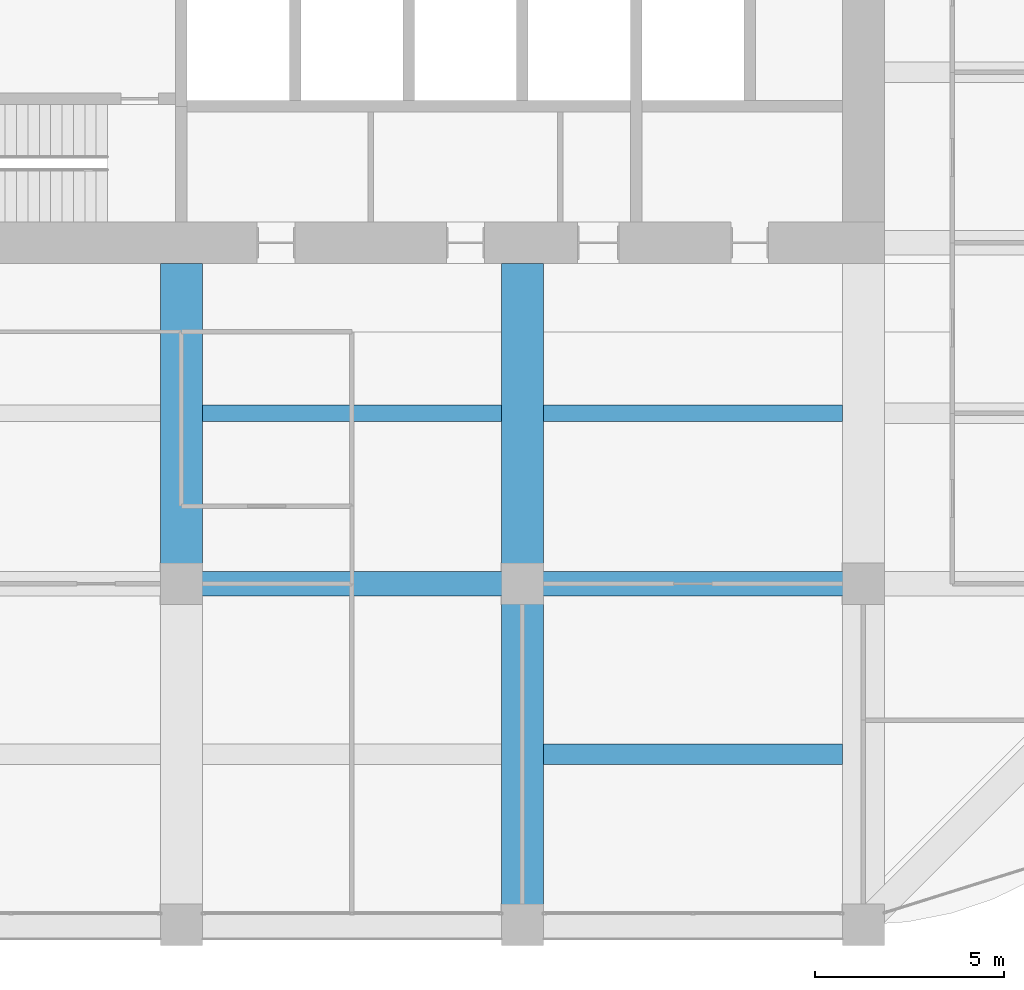
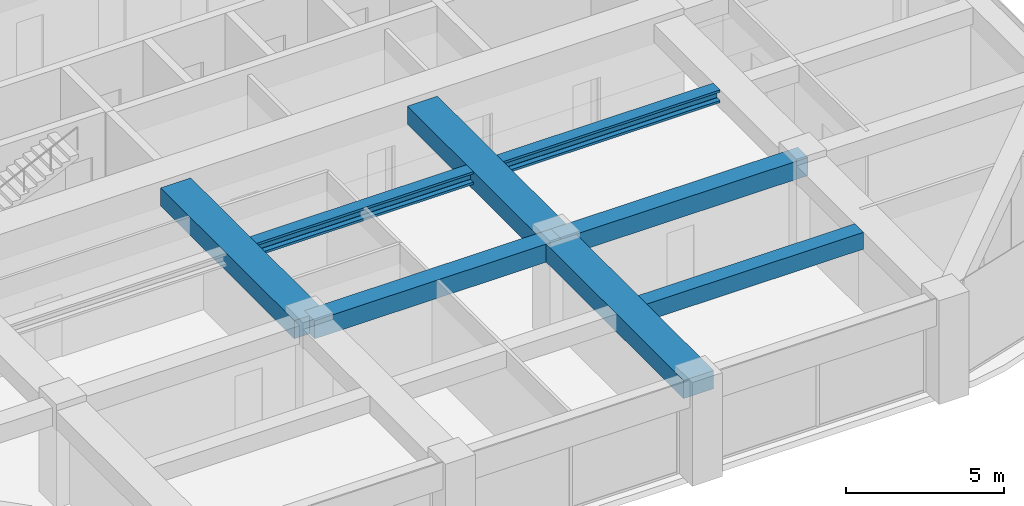
# One storey, part 12 of 45: 8 beams.
"""IFC4 building model written with IfcOpenShell, lengths in metres."""

from ifc_helpers import new_model, si_unit, direction, frame, origin, origin_2d, place, context, subcontext, project, spatial, rectangle, i_section, extrude, material, material_profile, profile_set, type_object, element, save


model = new_model("IFC4")

# Units and contexts
model_context = context("Model", 3, precision=1e-05, world=origin(), true_north=direction((0.0, 1.0)))
body_context = subcontext(model_context, "Body", "Model", "MODEL_VIEW")
ifc_project = project(units=[si_unit("LENGTHUNIT", "METRE"), si_unit("AREAUNIT", "SQUARE_METRE"), si_unit("VOLUMEUNIT", "CUBIC_METRE"), si_unit("PLANEANGLEUNIT", "RADIAN"), si_unit("MASSUNIT", "GRAM", prefix="KILO")], contexts=[model_context])

# Site, building, storey
site_placement = place(None, origin())
site = spatial("IfcSite", under=ifc_project, at=site_placement, CompositionType="ELEMENT")
building_placement = place(site_placement, origin())
building = spatial("IfcBuilding", under=site, at=building_placement, Name="Zorevar Civic Tower", CompositionType="ELEMENT")
storey_placement = place(building_placement, frame((0.0, 0.0, 279.39990234375)))
storey = spatial("IfcBuildingStorey", under=building, at=storey_placement, Name="L68", CompositionType="ELEMENT", Elevation=279.39990234375)

# Beams
ifc_material_1 = material(Name="Concrete C50/60", Category="concrete")
ifc_material_profile_1 = material_profile(ifc_material_1, rectangle(XDim=1.10009765625, YDim=0.699951171875, at=origin_2d()), Name="RC 1100x700")
ifc_profile_set_1 = profile_set([ifc_material_profile_1], Name="Concrete C50/60")
beam_type_1 = type_object("IfcBeamType", Name="Beam RC 1100x700", PredefinedType="BEAM", material=ifc_profile_set_1)
beam_1_placement = place(storey_placement, frame((27.0, 9.0, 3.400146484375), z_axis=(0.0, 1.0, 0.0), x_axis=(-1.0, 0.0, 0.0)))
element("IfcBeam", 1, at=beam_1_placement, inside=storey, type_object=beam_type_1, Name="Girder L69", PredefinedType="BEAM", context=body_context, shape_type="SweptSolid", body=[
    extrude(rectangle(XDim=1.10009765625, YDim=0.699951171875, at=origin_2d()), origin(), (0.0, 0.0, 1.0), 8.449951171875),
])
beam_2_placement = place(storey_placement, frame((36.0, 0.0, 3.400146484375), z_axis=(0.0, 1.0, 0.0), x_axis=(-1.0, 0.0, 0.0)))
element("IfcBeam", 2, at=beam_2_placement, inside=storey, type_object=beam_type_1, Name="Girder L69", PredefinedType="BEAM", context=body_context, shape_type="SweptSolid", body=[
    extrude(rectangle(XDim=1.10009765625, YDim=0.699951171875, at=origin_2d()), origin(), (0.0, 0.0, 1.0), 9.0),
])
beam_3_placement = place(storey_placement, frame((36.0, 9.0, 3.400146484375), z_axis=(0.0, 1.0, 0.0), x_axis=(-1.0, 0.0, 0.0)))
element("IfcBeam", 3, at=beam_3_placement, inside=storey, type_object=beam_type_1, Name="Girder L69", PredefinedType="BEAM", context=body_context, shape_type="SweptSolid", body=[
    extrude(rectangle(XDim=1.10009765625, YDim=0.699951171875, at=origin_2d()), origin(), (0.0, 0.0, 1.0), 8.449951171875),
])
ifc_material_2 = material(Name="Concrete C50/60", Category="concrete")
ifc_material_profile_2 = material_profile(ifc_material_2, rectangle(XDim=0.550048828125, YDim=0.64990234375, at=origin_2d()), Name="RC 550x650")
ifc_profile_set_2 = profile_set([ifc_material_profile_2], Name="Concrete C50/60")
beam_type_2 = type_object("IfcBeamType", Name="Beam RC 550x650", PredefinedType="BEAM", material=ifc_profile_set_2)
beam_4_placement = place(storey_placement, frame((36.550048828125, 4.5, 3.425048828125), z_axis=(1.0, 0.0, 0.0), x_axis=(0.0, 1.0, 0.0)))
element("IfcBeam", 4, at=beam_4_placement, inside=storey, type_object=beam_type_2, Name="Secondary beam L69", PredefinedType="BEAM", context=body_context, shape_type="SweptSolid", body=[
    extrude(rectangle(XDim=0.550048828125, YDim=0.64990234375, at=origin_2d()), origin(), (0.0, 0.0, 1.0), 7.89990234375),
])
ifc_material_3 = material(Name="Concrete C50/60", Category="concrete")
ifc_material_profile_3 = material_profile(ifc_material_3, rectangle(XDim=0.64990234375, YDim=0.699951171875, at=origin_2d()), Name="RC 650x700")
ifc_profile_set_3 = profile_set([ifc_material_profile_3], Name="Concrete C50/60")
beam_type_3 = type_object("IfcBeamType", Name="Beam RC 650x700", PredefinedType="BEAM", material=ifc_profile_set_3)
for number, where, z_axis, x_axis, name in (
    (5, (27.0, 9.0, 3.400146484375), (1.0, 0.0, 0.0), (0.0, 1.0, 0.0), "Girder L69"),
    (6, (36.0, 9.0, 3.400146484375), (1.0, 0.0, 0.0), (0.0, 1.0, 0.0), "Girder L69"),
):
    element("IfcBeam", number, at=place(storey_placement, frame(where, z_axis=z_axis, x_axis=x_axis)), inside=storey, type_object=beam_type_3, Name=name, PredefinedType="BEAM", context=body_context, shape_type="SweptSolid", body=[
        extrude(rectangle(XDim=0.64990234375, YDim=0.699951171875, at=origin_2d()), origin(), (0.0, 0.0, 1.0), 9.0),
    ])
ifc_material_4 = material(Name="Steel S460M (HISTAR 460)", Category="steel")
ifc_material_profile_4 = material_profile(ifc_material_4, i_section(OverallWidth=0.431884765625, OverallDepth=0.498046875, WebThickness=0.0556640625, FlangeThickness=0.0888671875, FilletRadius=0.014892578125, at=origin_2d()), Name="HD 400x744")
ifc_profile_set_4 = profile_set([ifc_material_profile_4], Name="Steel S460M (HISTAR 460)")
beam_type_4 = type_object("IfcBeamType", Name="Core bay beam HD 400x744", PredefinedType="BEAM", material=ifc_profile_set_4)
for number, where, z_axis, x_axis, name in (
    (7, (27.550048828125, 13.5, 3.5009765625), (1.0, 0.0, 0.0), (0.0, 1.0, 0.0), "Secondary beam L69"),
    (8, (36.550048828125, 13.5, 3.5009765625), (1.0, 0.0, 0.0), (0.0, 1.0, 0.0), "Secondary beam L69"),
):
    element("IfcBeam", number, at=place(storey_placement, frame(where, z_axis=z_axis, x_axis=x_axis)), inside=storey, type_object=beam_type_4, Name=name, PredefinedType="BEAM", context=body_context, shape_type="SweptSolid", body=[
        extrude(i_section(OverallWidth=0.431884765625, OverallDepth=0.498046875, WebThickness=0.0556640625, FlangeThickness=0.0888671875, FilletRadius=0.014892578125, at=origin_2d()), origin(), (0.0, 0.0, 1.0), 7.89990234375),
    ])

save(model, "model.ifc")
